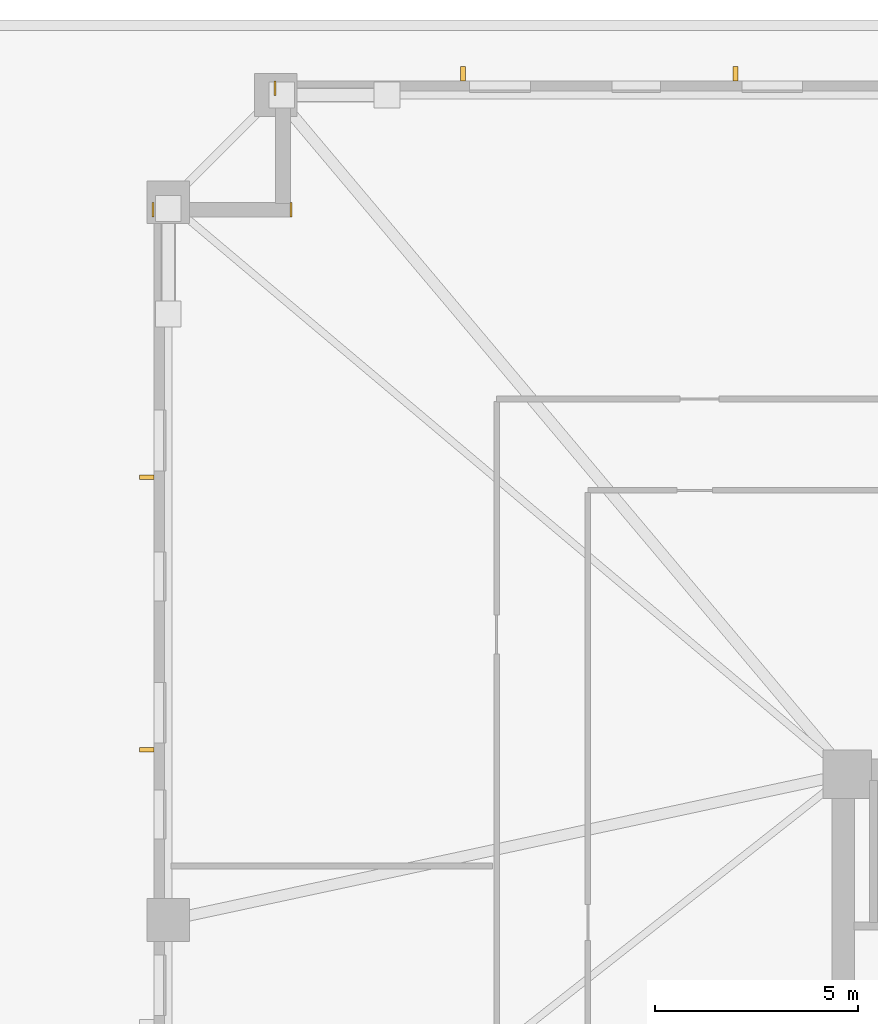
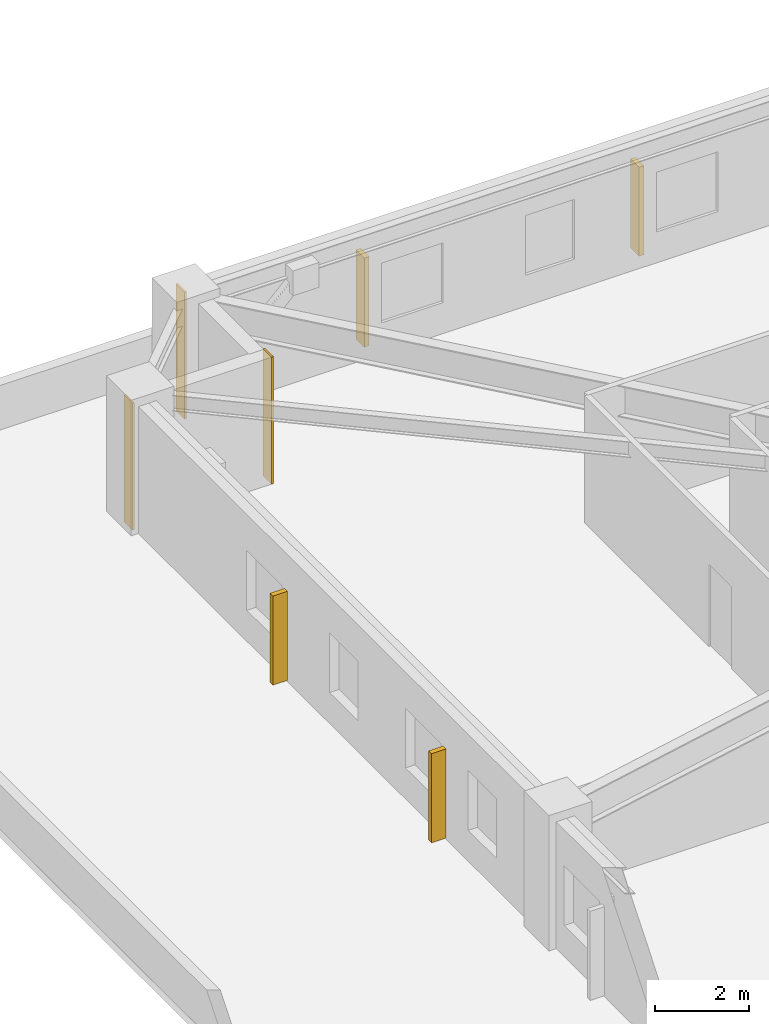
# One storey, part 11 of 12: 4 shading devices, 3 coverings.
"""IFC4 building model written with IfcOpenShell, lengths in metres."""

import ifcopenshell
import ifcopenshell.guid

model = None  # the IFC model being written
_history = None  # IfcOwnerHistory: only IFC2X3 demands one
_inside = {}  # id of a spatial element -> (the spatial element, [elements in it])
_under = {}  # id of a project, library or spatial element -> (it, [spatial elements below it])
_declared = {}  # id of a project -> (the project, [libraries it declares])
_typed = {}  # id of a type object -> (the type object, [elements of that type])
_made_of = {}  # id of a material, layer set ... -> (it, [elements and type objects made of it])


def new_model(schema):
    """Start an empty IFC model of exactly this schema.

    Asked for "IFC4X3", IfcOpenShell would pick the latest addendum, in which some entities
    have other attributes; the version numbers below select the first issue.
    IFC2X3 requires an IfcOwnerHistory on every rooted entity: one is made here for all.
    """
    global model, _history
    if schema == "IFC4X3":
        model = ifcopenshell.file(schema_version=(4, 3, 0, 0))
    else:
        model = ifcopenshell.file(schema=schema)
    _inside.clear()
    _under.clear()
    _declared.clear()
    _typed.clear()
    _made_of.clear()
    _history = None
    if model.schema == "IFC2X3":
        org = make("IfcOrganization", Name="unknown")
        user = make(
            "IfcPersonAndOrganization",
            ThePerson=make("IfcPerson", FamilyName="unknown"),
            TheOrganization=org,
        )
        app = make(
            "IfcApplication",
            ApplicationDeveloper=org,
            Version="unknown",
            ApplicationFullName="unknown",
            ApplicationIdentifier="unknown",
        )
        _history = make(
            "IfcOwnerHistory",
            OwningUser=user,
            OwningApplication=app,
            ChangeAction="ADDED",
            CreationDate=0,
        )
    return model


def make(cls, **values):
    """One entity of the class cls with the attributes given. An attribute that is None is left unset."""
    return model.create_entity(
        cls, **{name: value for name, value in values.items() if value is not None}
    )


def rooted(cls, **values):
    """An entity with a GlobalId (a new one), such as an element, a storey or a relation."""
    return make(cls, GlobalId=ifcopenshell.guid.new(), OwnerHistory=_history, **values)


def si_unit(unit_type, name, prefix=None):
    """IfcSIUnit, for example si_unit("LENGTHUNIT", "METRE", prefix="MILLI")."""
    return make("IfcSIUnit", UnitType=unit_type, Prefix=prefix, Name=name)


def assignment(units):
    """IfcUnitAssignment: the units of a project."""
    return None if units is None else make("IfcUnitAssignment", Units=units)


def point(xyz):
    """IfcCartesianPoint."""
    return None if xyz is None else make("IfcCartesianPoint", Coordinates=xyz)


def direction(xyz):
    """IfcDirection."""
    return None if xyz is None else make("IfcDirection", DirectionRatios=xyz)


def frame(location, z_axis=None, x_axis=None):
    """IfcAxis2Placement3D, a coordinate frame: its origin and axes. An axis left out is left unset."""
    return make(
        "IfcAxis2Placement3D",
        Location=point(location),
        Axis=direction(z_axis),
        RefDirection=direction(x_axis),
    )


def frame_2d(location, x_axis=None):
    """IfcAxis2Placement2D, a coordinate frame in the plane: its origin and x axis."""
    return make(
        "IfcAxis2Placement2D", Location=point(location), RefDirection=direction(x_axis)
    )


def origin():
    """The frame at (0, 0, 0) with its axes left unset."""
    return frame((0.0, 0.0, 0.0))


def origin_2d():
    """The frame at (0, 0) in the plane with its x axis left unset."""
    return frame_2d((0.0, 0.0))


def place(relative_to, where):
    """IfcLocalPlacement: puts the frame where relative to a parent placement (None: the world)."""
    return make(
        "IfcLocalPlacement", PlacementRelTo=relative_to, RelativePlacement=where
    )


def context(
    kind, dimensions, precision=None, world=None, true_north=None, identifier=None
):
    """IfcGeometricRepresentationContext, for example the 3D "Model" context."""
    return make(
        "IfcGeometricRepresentationContext",
        ContextIdentifier=identifier,
        ContextType=kind,
        CoordinateSpaceDimension=dimensions,
        Precision=precision,
        WorldCoordinateSystem=world,
        TrueNorth=true_north,
    )


def subcontext(parent, identifier, kind, view, scale=None):
    """IfcGeometricRepresentationSubContext, for example "Body" below "Model"."""
    return make(
        "IfcGeometricRepresentationSubContext",
        ContextIdentifier=identifier,
        ContextType=kind,
        ParentContext=parent,
        TargetScale=scale,
        TargetView=view,
    )


def project(units=None, contexts=None):
    """IfcProject with its units and contexts."""
    return rooted(
        "IfcProject",
        Name="project",
        RepresentationContexts=contexts,
        UnitsInContext=assignment(units),
    )


def spatial(cls, under=None, at=None, **own):
    """A site, building, storey or space (cls), placed at a placement, below another one or the project."""
    s = rooted(cls, ObjectPlacement=at, **own)
    if under is not None:
        _under.setdefault(under.id(), (under, []))[1].append(s)
    return s


def profile(cls, at=None, kind="AREA", **sizes):
    """A parametric profile (cls). Its sizes go by their IFC names, for example OverallWidth=200.0."""
    return make(cls, ProfileType=kind, Position=at, **sizes)


def rectangle(**sizes):
    """IfcRectangleProfileDef."""
    return profile("IfcRectangleProfileDef", **sizes)


def extrude(swept, where, along, depth):
    """IfcExtrudedAreaSolid: the profile swept, set in the frame where, extruded along a direction by depth."""
    return make(
        "IfcExtrudedAreaSolid",
        SweptArea=swept,
        Position=where,
        ExtrudedDirection=direction(along),
        Depth=depth,
    )


def shape(context_of_items, identifier, shape_type, items):
    """IfcShapeRepresentation: the items that make up one representation, for example the "Body"."""
    return make(
        "IfcShapeRepresentation",
        ContextOfItems=context_of_items,
        RepresentationIdentifier=identifier,
        RepresentationType=shape_type,
        Items=items,
    )


def material(Name=None, Category=None):
    """IfcMaterial."""
    return make("IfcMaterial", Name=Name, Category=Category)


def layer(
    of_material, thickness, ventilated=None, Name=None, Category=None, Priority=None
):
    """IfcMaterialLayer: one layer of a wall or slab, of a material (None: an air gap)."""
    return make(
        "IfcMaterialLayer",
        Material=of_material,
        LayerThickness=thickness,
        IsVentilated=ventilated,
        Name=Name,
        Category=Category,
        Priority=Priority,
    )


def layer_set(layers, Name=None):
    """IfcMaterialLayerSet."""
    return make("IfcMaterialLayerSet", MaterialLayers=layers, LayerSetName=Name)


def made_of(thing, what):
    """Note that an element or type object is made of a material, layer set ...; save() writes the relation."""
    if what is not None:
        _made_of.setdefault(what.id(), (what, []))[1].append(thing)
    return thing


def type_object(cls, material=None, **own):
    """A type object (cls), such as IfcWallType, which elements share."""
    return made_of(rooted(cls, **own), material)


def element(
    cls,
    number,
    at=None,
    inside=None,
    cuts=None,
    type_object=None,
    material=None,
    context=None,
    identifier="Body",
    shape_type=None,
    held_by="IfcProductDefinitionShape",
    body=None,
    shapes=None,
    **own,
):
    """One element of the class cls, such as IfcWall. Its Tag is "e" and its number.

    at: its placement. inside: the storey or other place that contains it. cuts: it is an
    opening in that element (IfcRelVoidsElement). A single representation is given by context,
    identifier, shape_type and body (its items); several are given by shapes. held_by: the class
    of the entity that holds the representations. save() writes the other relations.
    """
    e = rooted(cls, Tag="e%d" % number, ObjectPlacement=at, **own)
    if body is not None:
        shapes = [shape(context, identifier, shape_type, body)]
    if shapes is not None:
        e.Representation = make(held_by, Representations=shapes)
    if inside is not None:
        _inside.setdefault(inside.id(), (inside, []))[1].append(e)
    if cuts is not None:
        rooted(
            "IfcRelVoidsElement", RelatingBuildingElement=cuts, RelatedOpeningElement=e
        )
    if type_object is not None:
        _typed.setdefault(type_object.id(), (type_object, []))[1].append(e)
    return made_of(e, material)


def aggregate(whole, parts):
    """IfcRelAggregates: a whole, such as a stair, and the parts it consists of."""
    return rooted("IfcRelAggregates", RelatingObject=whole, RelatedObjects=parts)


def save(model, path):
    """Write the relations noted so far, then the file.

    IfcRelAggregates (storeys below a building ...), IfcRelContainedInSpatialStructure (elements
    in a storey), IfcRelDefinesByType, IfcRelAssociatesMaterial and IfcRelDeclares: one each for
    every whole, place, type object, material and project.
    """
    for whole, parts in _under.values():
        aggregate(whole, parts)
    for where, things in _inside.values():
        rooted(
            "IfcRelContainedInSpatialStructure",
            RelatedElements=things,
            RelatingStructure=where,
        )
    for kind, things in _typed.values():
        rooted("IfcRelDefinesByType", RelatedObjects=things, RelatingType=kind)
    for what, things in _made_of.values():
        rooted("IfcRelAssociatesMaterial", RelatedObjects=things, RelatingMaterial=what)
    for by, libraries in _declared.values():
        rooted("IfcRelDeclares", RelatingContext=by, RelatedDefinitions=libraries)
    model.write(path)


model = new_model("IFC4")

# Units and contexts
model_context = context("Model", 3, precision=1e-05, world=origin(), true_north=direction((0.0, 1.0)))
body_context = subcontext(model_context, "Body", "Model", "MODEL_VIEW")
ifc_project = project(units=[si_unit("LENGTHUNIT", "METRE"), si_unit("AREAUNIT", "SQUARE_METRE"), si_unit("VOLUMEUNIT", "CUBIC_METRE"), si_unit("PLANEANGLEUNIT", "RADIAN"), si_unit("MASSUNIT", "GRAM", prefix="KILO")], contexts=[model_context])

# Site, building, storey
site_placement = place(None, origin())
site = spatial("IfcSite", under=ifc_project, at=site_placement, CompositionType="ELEMENT")
building_placement = place(site_placement, origin())
building = spatial("IfcBuilding", under=site, at=building_placement, Name="Cairnveth Concourse Tower", CompositionType="ELEMENT")
storey_placement = place(building_placement, frame((0.0, 0.0, 23.5)))
storey = spatial("IfcBuildingStorey", under=building, at=storey_placement, Name="L05", CompositionType="ELEMENT", Elevation=23.5)

# Coverings
ifc_material_1 = material(Name="Dressed Melbourne Bluestone Cladding", Category="masonry")
ifc_layer = layer(ifc_material_1, 0.050048828125)
ifc_layer_set = layer_set([ifc_layer], Name="Dressed Melbourne Bluestone Cladding")
covering_type = type_object("IfcCoveringType", Name="DRESSED BLUESTONE PLINTH CLADDING 50", PredefinedType="CLADDING", material=ifc_layer_set)
for number, where, z_axis, x_axis, name in (
    (1, (26.47998046875, 61.139892578125, 0.0), (0.0, 0.0, 1.0), (0.0, 1.0, 0.0), "Melbourne Bluestone Corner Quoin L05-27"),
    (2, (29.8798828125, 61.139892578125, 0.0), (0.0, 0.0, 1.0), (0.0, 1.0, 0.0), "Melbourne Bluestone Corner Quoin L05-28"),
    (3, (29.47998046875, 64.139892578125, 0.0), (0.0, 0.0, 1.0), (0.0, 1.0, 0.0), "Melbourne Bluestone Corner Quoin L05-29"),
):
    element("IfcCovering", number, at=place(storey_placement, frame(where, z_axis=z_axis, x_axis=x_axis)), inside=storey, type_object=covering_type, Name=name, PredefinedType="CLADDING", context=body_context, shape_type="SweptSolid", body=[
        extrude(rectangle(XDim=0.360107421875, YDim=0.050048828125, at=frame_2d((0.18017578125, 0.0))), origin(), (0.0, 0.0, 1.0), 3.280029296875),
    ])

# Shading devices
ifc_material_2 = material(Name="Architectural Bronze Anodised Aluminium 6063-T6", Category="aluminium")
shading_device_type = type_object("IfcShadingDeviceType", Name="GOTHIC BRONZE VERTICAL LANCET FIN", PredefinedType="USERDEFINED", material=ifc_material_2)
for number, where, z_axis, x_axis, name in (
    (4, (26.324951171875, 48.00146484375, 0.02978515625), (0.0, 0.0, 1.0), (0.0, 1.0, 0.0), "Gothic Bronze Vertical Fin L05-3-9"),
    (5, (26.324951171875, 54.721923828125, 0.02978515625), (0.0, 0.0, 1.0), (0.0, 1.0, 0.0), "Gothic Bronze Vertical Fin L05-3-11"),
    (6, (34.1201171875, 64.675048828125, 0.02978515625), (0.0, 0.0, 1.0), (1.0, 0.0, 0.0), "Gothic Bronze Vertical Fin L05-6-1"),
    (7, (40.840576171875, 64.675048828125, 0.02978515625), (0.0, 0.0, 1.0), (1.0, 0.0, 0.0), "Gothic Bronze Vertical Fin L05-6-3"),
):
    element("IfcShadingDevice", number, at=place(storey_placement, frame(where, z_axis=z_axis, x_axis=x_axis)), inside=storey, type_object=shading_device_type, Name=name, ObjectType="VERTICAL FIN", PredefinedType="USERDEFINED", context=body_context, shape_type="SweptSolid", body=[
        extrude(rectangle(XDim=0.1201171875, YDim=0.360107421875, at=origin_2d()), origin(), (0.0, 0.0, 1.0), 2.303955078125),
    ])

save(model, "model.ifc")
